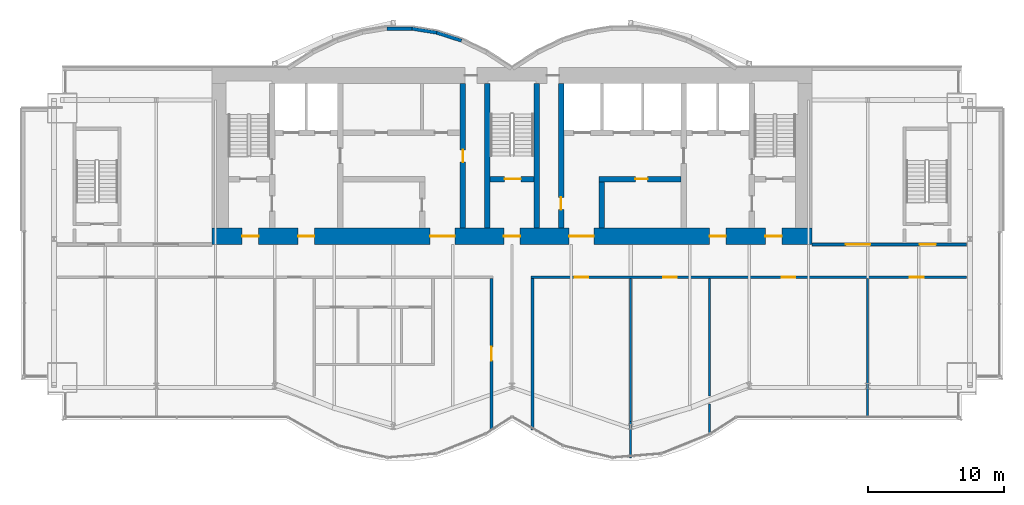
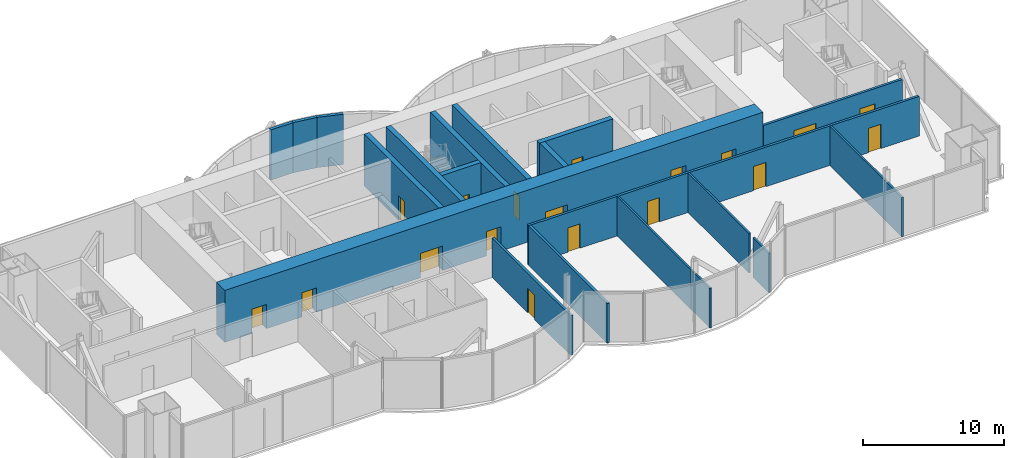
# One storey, part 12 of 17: 20 walls, 18 doors, 18 openings.
"""IFC4 building model written with IfcOpenShell, lengths in metres."""

from ifc_helpers import new_model, si_unit, direction, frame, frame_2d, origin, place, context, subcontext, project, spatial, rectangle, extrude, material, layer, layer_set, layer_usage, type_object, element, fill, save


model = new_model("IFC4")

# Units and contexts
model_context = context("Model", 3, precision=1e-05, world=origin(), true_north=direction((0.0, 1.0)))
body_context = subcontext(model_context, "Body", "Model", "MODEL_VIEW")
ifc_project = project(units=[si_unit("LENGTHUNIT", "METRE"), si_unit("AREAUNIT", "SQUARE_METRE"), si_unit("VOLUMEUNIT", "CUBIC_METRE"), si_unit("PLANEANGLEUNIT", "RADIAN"), si_unit("MASSUNIT", "GRAM", prefix="KILO")], contexts=[model_context])

# Site, building, storey
site_placement = place(None, origin())
site = spatial("IfcSite", under=ifc_project, at=site_placement, CompositionType="ELEMENT")
building_placement = place(site_placement, origin())
building = spatial("IfcBuilding", under=site, at=building_placement, Name="Bicima Exchange Tower", CompositionType="ELEMENT")
storey_placement = place(building_placement, frame((0.0, 0.0, 320.0)))
storey = spatial("IfcBuildingStorey", under=building, at=storey_placement, Name="L72", CompositionType="ELEMENT", Elevation=320.0)

# Wall, openings, doors
ifc_material_1 = material(Name="Gypsum board partition")
ifc_layer_1 = layer(ifc_material_1, 0.199951171875)
ifc_layer_set_1 = layer_set([ifc_layer_1], Name="Gypsum board partition")
wall_type_1 = type_object("IfcWallType", Name="Fire-rated gypsum partition 200 EI60", PredefinedType="PARTITIONING", material=ifc_layer_set_1)
wall_1_placement = place(storey_placement, frame((1.39990234375, -15.39990234375, 0.0), z_axis=(0.0, 0.0, 1.0), x_axis=(1.0, 0.0, 0.0)))
wall_1 = element("IfcWall", 1, at=wall_1_placement, inside=storey, type_object=wall_type_1, Name="partition wall 4", PredefinedType="PARTITIONING", context=body_context, shape_type="SweptSolid", body=[
    extrude(rectangle(XDim=31.940185546875, YDim=0.199951171875, at=frame_2d((15.97021484375, 0.0))), origin(), (0.0, 0.0, 1.0), 3.418212890625),
])
opening_1_placement = place(wall_1_placement, frame((3.199951171875, 0.0, 0.0)))
opening_1 = element("IfcOpeningElement", 2, at=opening_1_placement, cuts=wall_1, Name="Opening L72-015", PredefinedType="OPENING", context=body_context, shape_type="SweptSolid", body=[
    extrude(rectangle(XDim=1.0, YDim=2.10009765625, at=frame_2d((0.5, 1.050048828125))), frame((0.0, 0.11181640625, 0.0), z_axis=(0.0, -1.0, 0.0), x_axis=(1.0, 0.0, 0.0)), (0.0, 0.0, 1.0), 0.223876953125),
])
opening_2_placement = place(wall_1_placement, frame((9.699951171875, 0.0, 0.0)))
opening_2 = element("IfcOpeningElement", 3, at=opening_2_placement, cuts=wall_1, Name="Opening L72-016", PredefinedType="OPENING", context=body_context, shape_type="SweptSolid", body=[
    extrude(rectangle(XDim=1.0, YDim=2.10009765625, at=frame_2d((0.5, 1.050048828125))), frame((0.0, 0.11181640625, 0.0), z_axis=(0.0, -1.0, 0.0), x_axis=(1.0, 0.0, 0.0)), (0.0, 0.0, 1.0), 0.223876953125),
])
opening_3_placement = place(wall_1_placement, frame((18.39990234375, 0.0, 0.0)))
opening_3 = element("IfcOpeningElement", 4, at=opening_3_placement, cuts=wall_1, Name="Opening L72-017", PredefinedType="OPENING", context=body_context, shape_type="SweptSolid", body=[
    extrude(rectangle(XDim=1.0, YDim=2.10009765625, at=frame_2d((0.5, 1.050048828125))), frame((0.0, 0.11181640625, 0.0), z_axis=(0.0, -1.0, 0.0), x_axis=(1.0, 0.0, 0.0)), (0.0, 0.0, 1.0), 0.223876953125),
])
opening_4_placement = place(wall_1_placement, frame((27.800048828125, 0.0, 0.0)))
opening_4 = element("IfcOpeningElement", 5, at=opening_4_placement, cuts=wall_1, Name="Opening L72-018", PredefinedType="OPENING", context=body_context, shape_type="SweptSolid", body=[
    extrude(rectangle(XDim=1.0, YDim=2.10009765625, at=frame_2d((0.5, 1.050048828125))), frame((0.0, 0.11181640625, 0.0), z_axis=(0.0, -1.0, 0.0), x_axis=(1.0, 0.0, 0.0)), (0.0, 0.0, 1.0), 0.223876953125),
])
ifc_material_2 = material(Name="Steel fire door leaf", Category="steel")
door_type_1 = type_object("IfcDoorType", Name="Door 1000 swing FD30S", OperationType="SINGLE_SWING_LEFT", PredefinedType="DOOR", material=ifc_material_2)
door_1_placement = place(opening_1_placement, frame((1.0, 0.0, 0.0), z_axis=(0.0, 0.0, 1.0), x_axis=(-1.0, 0.0, 0.0)))
door_1 = element("IfcDoor", 6, at=door_1_placement, inside=storey, type_object=door_type_1, Name="Door", OperationType="SINGLE_SWING_RIGHT", OverallHeight=2.10009765625, OverallWidth=1.0, PredefinedType="DOOR", context=body_context, shape_type="SweptSolid", body=[
    extrude(rectangle(XDim=1.0, YDim=2.10009765625, at=frame_2d((0.5, 1.050048828125))), frame((0.0, 0.02490234375, 0.0), z_axis=(0.0, -1.0, 0.0), x_axis=(1.0, 0.0, 0.0)), (0.0, 0.0, 1.0), 0.050048828125),
])
fill(opening_1, door_1)
door_2_placement = place(opening_2_placement, frame((1.0, 0.0, 0.0), z_axis=(0.0, 0.0, 1.0), x_axis=(-1.0, 0.0, 0.0)))
door_2 = element("IfcDoor", 7, at=door_2_placement, inside=storey, type_object=door_type_1, Name="Door", OperationType="SINGLE_SWING_LEFT", OverallHeight=2.10009765625, OverallWidth=1.0, PredefinedType="DOOR", context=body_context, shape_type="SweptSolid", body=[
    extrude(rectangle(XDim=1.0, YDim=2.10009765625, at=frame_2d((0.5, 1.050048828125))), frame((0.0, 0.02490234375, 0.0), z_axis=(0.0, -1.0, 0.0), x_axis=(1.0, 0.0, 0.0)), (0.0, 0.0, 1.0), 0.050048828125),
])
fill(opening_2, door_2)
door_3_placement = place(opening_3_placement, frame((1.0, 0.0, 0.0), z_axis=(0.0, 0.0, 1.0), x_axis=(-1.0, 0.0, 0.0)))
door_3 = element("IfcDoor", 8, at=door_3_placement, inside=storey, type_object=door_type_1, Name="Door", OperationType="SINGLE_SWING_RIGHT", OverallHeight=2.10009765625, OverallWidth=1.0, PredefinedType="DOOR", context=body_context, shape_type="SweptSolid", body=[
    extrude(rectangle(XDim=1.0, YDim=2.10009765625, at=frame_2d((0.5, 1.050048828125))), frame((0.0, 0.02490234375, 0.0), z_axis=(0.0, -1.0, 0.0), x_axis=(1.0, 0.0, 0.0)), (0.0, 0.0, 1.0), 0.050048828125),
])
fill(opening_3, door_3)
door_4_placement = place(opening_4_placement, frame((1.0, 0.0, 0.0), z_axis=(0.0, 0.0, 1.0), x_axis=(-1.0, 0.0, 0.0)))
door_4 = element("IfcDoor", 9, at=door_4_placement, inside=storey, type_object=door_type_1, Name="Door", OperationType="SINGLE_SWING_RIGHT", OverallHeight=2.10009765625, OverallWidth=1.0, PredefinedType="DOOR", context=body_context, shape_type="SweptSolid", body=[
    extrude(rectangle(XDim=1.0, YDim=2.10009765625, at=frame_2d((0.5, 1.050048828125))), frame((0.0, 0.02490234375, 0.0), z_axis=(0.0, -1.0, 0.0), x_axis=(1.0, 0.0, 0.0)), (0.0, 0.0, 1.0), 0.050048828125),
])
fill(opening_4, door_4)

wall_2_placement = place(storey_placement, frame((22.0, -13.0, 0.0), z_axis=(0.0, 0.0, 1.0), x_axis=(1.0, 0.0, 0.0)))
wall_2 = element("IfcWall", 10, at=wall_2_placement, inside=storey, type_object=wall_type_1, Name="partition wall 6", PredefinedType="PARTITIONING", context=body_context, shape_type="SweptSolid", body=[
    extrude(rectangle(XDim=11.340087890625, YDim=0.199951171875, at=frame_2d((5.669921875, 0.0))), origin(), (0.0, 0.0, 1.0), 3.418212890625),
])
opening_5_placement = place(wall_2_placement, frame((7.89990234375, 0.0, 0.0)))
opening_5 = element("IfcOpeningElement", 11, at=opening_5_placement, cuts=wall_2, Name="Opening L72-003", PredefinedType="OPENING", context=body_context, shape_type="SweptSolid", body=[
    extrude(rectangle(XDim=1.199951171875, YDim=2.10009765625, at=frame_2d((0.60009765625, 1.050048828125))), frame((0.0, 0.11181640625, 0.0), z_axis=(0.0, -1.0, 0.0), x_axis=(1.0, 0.0, 0.0)), (0.0, 0.0, 1.0), 0.223876953125),
])
opening_6_placement = place(wall_2_placement, frame((2.5, 0.0, 0.0)))
opening_6 = element("IfcOpeningElement", 12, at=opening_6_placement, cuts=wall_2, Name="Opening L72-006", PredefinedType="OPENING", context=body_context, shape_type="SweptSolid", body=[
    extrude(rectangle(XDim=1.800048828125, YDim=2.10009765625, at=frame_2d((0.89990234375, 1.050048828125))), frame((0.0, 0.11181640625, 0.0), z_axis=(0.0, -1.0, 0.0), x_axis=(1.0, 0.0, 0.0)), (0.0, 0.0, 1.0), 0.223876953125),
])
door_type_2 = type_object("IfcDoorType", Name="Door 1200 swing FD30S", OperationType="SINGLE_SWING_LEFT", PredefinedType="DOOR", material=ifc_material_2)
door_5_placement = place(opening_5_placement, origin())
door_5 = element("IfcDoor", 13, at=door_5_placement, inside=storey, type_object=door_type_2, Name="Door", OperationType="SINGLE_SWING_RIGHT", OverallHeight=2.10009765625, OverallWidth=1.199951171875, PredefinedType="DOOR", context=body_context, shape_type="SweptSolid", body=[
    extrude(rectangle(XDim=1.199951171875, YDim=2.10009765625, at=frame_2d((0.60009765625, 1.050048828125))), frame((0.0, 0.02490234375, 0.0), z_axis=(0.0, -1.0, 0.0), x_axis=(1.0, 0.0, 0.0)), (0.0, 0.0, 1.0), 0.050048828125),
])
fill(opening_5, door_5)
door_type_3 = type_object("IfcDoorType", Name="Door 1800 double swing FD30S", OperationType="DOUBLE_DOOR_SINGLE_SWING", PredefinedType="DOOR", material=ifc_material_2)
door_6_placement = place(opening_6_placement, origin())
door_6 = element("IfcDoor", 14, at=door_6_placement, inside=storey, type_object=door_type_3, Name="Door", OperationType="SINGLE_SWING_LEFT", OverallHeight=2.10009765625, OverallWidth=1.800048828125, PredefinedType="DOOR", context=body_context, shape_type="SweptSolid", body=[
    extrude(rectangle(XDim=1.800048828125, YDim=2.10009765625, at=frame_2d((0.89990234375, 1.050048828125))), frame((0.0, 0.02490234375, 0.0), z_axis=(0.0, -1.0, 0.0), x_axis=(1.0, 0.0, 0.0)), (0.0, 0.0, 1.0), 0.050048828125),
])
fill(opening_6, door_6)

# Wall, opening, door
wall_3_placement = place(storey_placement, frame((-1.5, -26.6201171875, 0.0), z_axis=(0.0, 0.0, 1.0), x_axis=(0.0, 1.0, 0.0)))
wall_3 = element("IfcWall", 15, at=wall_3_placement, inside=storey, type_object=wall_type_1, Name="partition wall 19", PredefinedType="PARTITIONING", context=body_context, shape_type="SweptSolid", body=[
    extrude(rectangle(XDim=11.1201171875, YDim=0.199951171875, at=frame_2d((5.56005859375, 0.0))), origin(), (0.0, 0.0, 1.0), 3.418212890625),
])
opening_7_placement = place(wall_3_placement, frame((5.10009765625, 0.0, 0.0)))
opening_7 = element("IfcOpeningElement", 16, at=opening_7_placement, cuts=wall_3, Name="Opening L72-014", PredefinedType="OPENING", context=body_context, shape_type="SweptSolid", body=[
    extrude(rectangle(XDim=1.0, YDim=2.10009765625, at=frame_2d((0.5, 1.050048828125))), frame((0.0, 0.11181640625, 0.0), z_axis=(0.0, -1.0, 0.0), x_axis=(1.0, 0.0, 0.0)), (0.0, 0.0, 1.0), 0.223876953125),
])
door_7_placement = place(opening_7_placement, origin())
door_7 = element("IfcDoor", 17, at=door_7_placement, inside=storey, type_object=door_type_1, Name="Door", OperationType="SINGLE_SWING_LEFT", OverallHeight=2.10009765625, OverallWidth=1.0, PredefinedType="DOOR", context=body_context, shape_type="SweptSolid", body=[
    extrude(rectangle(XDim=1.0, YDim=2.10009765625, at=frame_2d((0.5, 1.050048828125))), frame((0.0, 0.02490234375, 0.0), z_axis=(0.0, -1.0, 0.0), x_axis=(1.0, 0.0, 0.0)), (0.0, 0.0, 1.0), 0.050048828125),
])
fill(opening_7, door_7)

# Walls
wall_4_placement = place(storey_placement, frame((1.5, -26.6201171875, 0.0), z_axis=(0.0, 0.0, 1.0), x_axis=(0.0, 1.0, 0.0)))
element("IfcWall", 18, at=wall_4_placement, inside=storey, type_object=wall_type_1, Name="partition wall 20", PredefinedType="PARTITIONING", context=body_context, shape_type="SweptSolid", body=[
    extrude(rectangle(XDim=11.1201171875, YDim=0.199951171875, at=frame_2d((5.56005859375, 0.0))), origin(), (0.0, 0.0, 1.0), 3.418212890625),
])
ifc_layer_2 = layer(ifc_material_1, 0.14990234375)
ifc_layer_set_2 = layer_set([ifc_layer_2], Name="Gypsum board partition")
wall_type_2 = type_object("IfcWallType", Name="Gypsum partition 150", PredefinedType="PARTITIONING", material=ifc_layer_set_2)
wall_5_placement = place(storey_placement, frame((8.699951171875, -28.64990234375, 0.0), z_axis=(0.0, 0.0, 1.0), x_axis=(0.0, 1.0, 0.0)))
element("IfcWall", 19, at=wall_5_placement, inside=storey, type_object=wall_type_2, Name="partition wall 21", PredefinedType="PARTITIONING", context=body_context, shape_type="SweptSolid", body=[
    extrude(rectangle(XDim=2.64404296875, YDim=0.14990234375, at=frame_2d((1.322021484375, 0.0))), origin(), (0.0, 0.0, 1.0), 3.418212890625),
])
wall_6_placement = place(storey_placement, frame((8.699951171875, -26.005859375, 0.0), z_axis=(0.0, 0.0, 1.0), x_axis=(0.0, 1.0, 0.0)))
element("IfcWall", 20, at=wall_6_placement, inside=storey, type_object=wall_type_2, Name="partition wall 22", PredefinedType="PARTITIONING", context=body_context, shape_type="SweptSolid", body=[
    extrude(rectangle(XDim=10.505859375, YDim=0.14990234375, at=frame_2d((5.2529296875, 0.0))), origin(), (0.0, 0.0, 1.0), 3.418212890625),
])
wall_7_placement = place(storey_placement, frame((14.5, -26.929931640625, 0.0), z_axis=(0.0, 0.0, 1.0), x_axis=(0.0, 1.0, 0.0)))
element("IfcWall", 21, at=wall_7_placement, inside=storey, type_object=wall_type_2, Name="partition wall 23", PredefinedType="PARTITIONING", context=body_context, shape_type="SweptSolid", body=[
    extrude(rectangle(XDim=2.239990234375, YDim=0.14990234375, at=frame_2d((1.1201171875, 0.0))), origin(), (0.0, 0.0, 1.0), 3.418212890625),
])
wall_8_placement = place(storey_placement, frame((14.5, -24.1298828125, 0.0), z_axis=(0.0, 0.0, 1.0), x_axis=(0.0, 1.0, 0.0)))
element("IfcWall", 22, at=wall_8_placement, inside=storey, type_object=wall_type_2, Name="partition wall 24", PredefinedType="PARTITIONING", context=body_context, shape_type="SweptSolid", body=[
    extrude(rectangle(XDim=8.6298828125, YDim=0.14990234375, at=frame_2d((4.31494140625, 0.0))), origin(), (0.0, 0.0, 1.0), 3.418212890625),
])
wall_9_placement = place(storey_placement, frame((26.10009765625, -25.68994140625, 0.0), z_axis=(0.0, 0.0, 1.0), x_axis=(0.0, 1.0, 0.0)))
element("IfcWall", 23, at=wall_9_placement, inside=storey, type_object=wall_type_2, Name="partition wall 25", PredefinedType="PARTITIONING", context=body_context, shape_type="SweptSolid", body=[
    extrude(rectangle(XDim=10.18994140625, YDim=0.14990234375, at=frame_2d((5.094970703125, 0.0))), origin(), (0.0, 0.0, 1.0), 3.418212890625),
])

# Wall, openings, doors
ifc_material_3 = material(Name="Concrete C40/50", Category="concrete")
ifc_layer_3 = layer(ifc_material_3, 1.199951171875)
ifc_layer_set_3 = layer_set([ifc_layer_3], Name="Concrete C40/50")
wall_type_3 = type_object("IfcWallType", Name="RC core wall 1200 C40/50", PredefinedType="SHEAR", material=ifc_layer_set_3)
wall_10_placement = place(storey_placement, frame((-22.0, -12.39990234375, 0.0), z_axis=(0.0, 0.0, 1.0), x_axis=(1.0, 0.0, 0.0)))
wall_10 = element("IfcWall", 24, at=wall_10_placement, inside=storey, type_object=wall_type_3, Name="Core wall south", PredefinedType="SHEAR", context=body_context, shape_type="SweptSolid", body=[
    extrude(rectangle(XDim=44.0, YDim=1.199951171875, at=frame_2d((22.0, 0.0))), origin(), (0.0, 0.0, 1.0), 4.5),
])
opening_8_placement = place(wall_10_placement, frame((2.199951171875, 0.0, 0.0)))
opening_8 = element("IfcOpeningElement", 25, at=opening_8_placement, cuts=wall_10, Name="Opening L72-C18", PredefinedType="OPENING", context=body_context, shape_type="SweptSolid", body=[
    extrude(rectangle(XDim=1.199951171875, YDim=2.10009765625, at=frame_2d((0.60009765625, 1.050048828125))), frame((0.0, 0.61181640625, 0.0), z_axis=(0.0, -1.0, 0.0), x_axis=(1.0, 0.0, 0.0)), (0.0, 0.0, 1.0), 1.223876953125),
])
opening_9_placement = place(wall_10_placement, frame((21.39990234375, 0.0, 0.0)))
opening_9 = element("IfcOpeningElement", 26, at=opening_9_placement, cuts=wall_10, Name="Opening L72-C19", PredefinedType="OPENING", context=body_context, shape_type="SweptSolid", body=[
    extrude(rectangle(XDim=1.199951171875, YDim=2.10009765625, at=frame_2d((0.60009765625, 1.050048828125))), frame((0.0, 0.61181640625, 0.0), z_axis=(0.0, -1.0, 0.0), x_axis=(1.0, 0.0, 0.0)), (0.0, 0.0, 1.0), 1.223876953125),
])
opening_10_placement = place(wall_10_placement, frame((40.60009765625, 0.0, 0.0)))
opening_10 = element("IfcOpeningElement", 27, at=opening_10_placement, cuts=wall_10, Name="Opening L72-C20", PredefinedType="OPENING", context=body_context, shape_type="SweptSolid", body=[
    extrude(rectangle(XDim=1.199951171875, YDim=2.10009765625, at=frame_2d((0.60009765625, 1.050048828125))), frame((0.0, 0.61181640625, 0.0), z_axis=(0.0, -1.0, 0.0), x_axis=(1.0, 0.0, 0.0)), (0.0, 0.0, 1.0), 1.223876953125),
])
opening_11_placement = place(wall_10_placement, frame((16.0, 0.0, 0.0)))
opening_11 = element("IfcOpeningElement", 28, at=opening_11_placement, cuts=wall_10, Name="Opening L72-C21", PredefinedType="OPENING", context=body_context, shape_type="SweptSolid", body=[
    extrude(rectangle(XDim=1.800048828125, YDim=2.10009765625, at=frame_2d((0.89990234375, 1.050048828125))), frame((0.0, 0.61181640625, 0.0), z_axis=(0.0, -1.0, 0.0), x_axis=(1.0, 0.0, 0.0)), (0.0, 0.0, 1.0), 1.223876953125),
])
opening_12_placement = place(wall_10_placement, frame((6.300048828125, 0.0, 0.0)))
opening_12 = element("IfcOpeningElement", 29, at=opening_12_placement, cuts=wall_10, Name="Opening L72-C22", PredefinedType="OPENING", context=body_context, shape_type="SweptSolid", body=[
    extrude(rectangle(XDim=1.199951171875, YDim=2.10009765625, at=frame_2d((0.60009765625, 1.050048828125))), frame((0.0, 0.61181640625, 0.0), z_axis=(0.0, -1.0, 0.0), x_axis=(1.0, 0.0, 0.0)), (0.0, 0.0, 1.0), 1.223876953125),
])
opening_13_placement = place(wall_10_placement, frame((26.199951171875, 0.0, 0.0)))
opening_13 = element("IfcOpeningElement", 30, at=opening_13_placement, cuts=wall_10, Name="Opening L72-C23", PredefinedType="OPENING", context=body_context, shape_type="SweptSolid", body=[
    extrude(rectangle(XDim=1.800048828125, YDim=2.10009765625, at=frame_2d((0.89990234375, 1.050048828125))), frame((0.0, 0.61181640625, 0.0), z_axis=(0.0, -1.0, 0.0), x_axis=(1.0, 0.0, 0.0)), (0.0, 0.0, 1.0), 1.223876953125),
])
opening_14_placement = place(wall_10_placement, frame((36.5, 0.0, 0.0)))
opening_14 = element("IfcOpeningElement", 31, at=opening_14_placement, cuts=wall_10, Name="Opening L72-C24", PredefinedType="OPENING", context=body_context, shape_type="SweptSolid", body=[
    extrude(rectangle(XDim=1.199951171875, YDim=2.10009765625, at=frame_2d((0.60009765625, 1.050048828125))), frame((0.0, 0.61181640625, 0.0), z_axis=(0.0, -1.0, 0.0), x_axis=(1.0, 0.0, 0.0)), (0.0, 0.0, 1.0), 1.223876953125),
])
door_type_4 = type_object("IfcDoorType", Name="Door 1200 swing FD60S", OperationType="SINGLE_SWING_LEFT", PredefinedType="DOOR", material=ifc_material_2)
door_8_placement = place(opening_8_placement, frame((1.199951171875, 0.0, 0.0), z_axis=(0.0, 0.0, 1.0), x_axis=(-1.0, 0.0, 0.0)))
door_8 = element("IfcDoor", 32, at=door_8_placement, inside=storey, type_object=door_type_4, Name="Core door", OperationType="SINGLE_SWING_RIGHT", OverallHeight=2.10009765625, OverallWidth=1.199951171875, PredefinedType="DOOR", context=body_context, shape_type="SweptSolid", body=[
    extrude(rectangle(XDim=1.199951171875, YDim=2.10009765625, at=frame_2d((0.60009765625, 1.050048828125))), frame((0.0, 0.02490234375, 0.0), z_axis=(0.0, -1.0, 0.0), x_axis=(1.0, 0.0, 0.0)), (0.0, 0.0, 1.0), 0.050048828125),
])
fill(opening_8, door_8)
door_9_placement = place(opening_9_placement, frame((1.199951171875, 0.0, 0.0), z_axis=(0.0, 0.0, 1.0), x_axis=(-1.0, 0.0, 0.0)))
door_9 = element("IfcDoor", 33, at=door_9_placement, inside=storey, type_object=door_type_4, Name="Core door", OperationType="SINGLE_SWING_RIGHT", OverallHeight=2.10009765625, OverallWidth=1.199951171875, PredefinedType="DOOR", context=body_context, shape_type="SweptSolid", body=[
    extrude(rectangle(XDim=1.199951171875, YDim=2.10009765625, at=frame_2d((0.60009765625, 1.050048828125))), frame((0.0, 0.02490234375, 0.0), z_axis=(0.0, -1.0, 0.0), x_axis=(1.0, 0.0, 0.0)), (0.0, 0.0, 1.0), 0.050048828125),
])
fill(opening_9, door_9)
door_10_placement = place(opening_10_placement, frame((1.199951171875, 0.0, 0.0), z_axis=(0.0, 0.0, 1.0), x_axis=(-1.0, 0.0, 0.0)))
door_10 = element("IfcDoor", 34, at=door_10_placement, inside=storey, type_object=door_type_4, Name="Core door", OperationType="SINGLE_SWING_RIGHT", OverallHeight=2.10009765625, OverallWidth=1.199951171875, PredefinedType="DOOR", context=body_context, shape_type="SweptSolid", body=[
    extrude(rectangle(XDim=1.199951171875, YDim=2.10009765625, at=frame_2d((0.60009765625, 1.050048828125))), frame((0.0, 0.02490234375, 0.0), z_axis=(0.0, -1.0, 0.0), x_axis=(1.0, 0.0, 0.0)), (0.0, 0.0, 1.0), 0.050048828125),
])
fill(opening_10, door_10)
door_11_placement = place(opening_12_placement, frame((1.199951171875, 0.0, 0.0), z_axis=(0.0, 0.0, 1.0), x_axis=(-1.0, 0.0, 0.0)))
door_11 = element("IfcDoor", 35, at=door_11_placement, inside=storey, type_object=door_type_4, Name="Core door", OperationType="SINGLE_SWING_RIGHT", OverallHeight=2.10009765625, OverallWidth=1.199951171875, PredefinedType="DOOR", context=body_context, shape_type="SweptSolid", body=[
    extrude(rectangle(XDim=1.199951171875, YDim=2.10009765625, at=frame_2d((0.60009765625, 1.050048828125))), frame((0.0, 0.02490234375, 0.0), z_axis=(0.0, -1.0, 0.0), x_axis=(1.0, 0.0, 0.0)), (0.0, 0.0, 1.0), 0.050048828125),
])
fill(opening_12, door_11)
door_12_placement = place(opening_14_placement, frame((1.199951171875, 0.0, 0.0), z_axis=(0.0, 0.0, 1.0), x_axis=(-1.0, 0.0, 0.0)))
door_12 = element("IfcDoor", 36, at=door_12_placement, inside=storey, type_object=door_type_4, Name="Core door", OperationType="SINGLE_SWING_RIGHT", OverallHeight=2.10009765625, OverallWidth=1.199951171875, PredefinedType="DOOR", context=body_context, shape_type="SweptSolid", body=[
    extrude(rectangle(XDim=1.199951171875, YDim=2.10009765625, at=frame_2d((0.60009765625, 1.050048828125))), frame((0.0, 0.02490234375, 0.0), z_axis=(0.0, -1.0, 0.0), x_axis=(1.0, 0.0, 0.0)), (0.0, 0.0, 1.0), 0.050048828125),
])
fill(opening_14, door_12)
door_13_placement = place(opening_11_placement, origin())
door_13 = element("IfcDoor", 37, at=door_13_placement, inside=storey, type_object=door_type_3, Name="Core door", OperationType="SINGLE_SWING_LEFT", OverallHeight=2.10009765625, OverallWidth=1.800048828125, PredefinedType="DOOR", context=body_context, shape_type="SweptSolid", body=[
    extrude(rectangle(XDim=1.800048828125, YDim=2.10009765625, at=frame_2d((0.89990234375, 1.050048828125))), frame((0.0, 0.02490234375, 0.0), z_axis=(0.0, -1.0, 0.0), x_axis=(1.0, 0.0, 0.0)), (0.0, 0.0, 1.0), 0.050048828125),
])
fill(opening_11, door_13)
door_14_placement = place(opening_13_placement, origin())
door_14 = element("IfcDoor", 38, at=door_14_placement, inside=storey, type_object=door_type_3, Name="Core door", OperationType="SINGLE_SWING_LEFT", OverallHeight=2.10009765625, OverallWidth=1.800048828125, PredefinedType="DOOR", context=body_context, shape_type="SweptSolid", body=[
    extrude(rectangle(XDim=1.800048828125, YDim=2.10009765625, at=frame_2d((0.89990234375, 1.050048828125))), frame((0.0, 0.02490234375, 0.0), z_axis=(0.0, -1.0, 0.0), x_axis=(1.0, 0.0, 0.0)), (0.0, 0.0, 1.0), 0.050048828125),
])
fill(opening_13, door_14)

# Wall, opening, door
ifc_layer_4 = layer(ifc_material_3, 0.39990234375)
ifc_layer_set_4 = layer_set([ifc_layer_4], Name="Concrete C40/50")
wall_type_4 = type_object("IfcWallType", Name="RC core wall 400 C40/50", PredefinedType="SHEAR", material=ifc_layer_set_4)
wall_11_placement = place(storey_placement, frame((6.39990234375, -8.199951171875, 0.0), z_axis=(0.0, 0.0, 1.0), x_axis=(1.0, 0.0, 0.0)))
wall_11 = element("IfcWall", 39, at=wall_11_placement, inside=storey, type_object=wall_type_4, Name="shear wall 4", PredefinedType="SHEAR", context=body_context, shape_type="SweptSolid", body=[
    extrude(rectangle(XDim=6.0, YDim=0.39990234375, at=frame_2d((3.0, 0.0))), origin(), (0.0, 0.0, 1.0), 4.5),
])
opening_15_placement = place(wall_11_placement, frame((2.64990234375, 0.0, 0.0)))
opening_15 = element("IfcOpeningElement", 40, at=opening_15_placement, cuts=wall_11, Name="Opening L72-C15", PredefinedType="OPENING", context=body_context, shape_type="SweptSolid", body=[
    extrude(rectangle(XDim=0.89990234375, YDim=2.10009765625, at=frame_2d((0.449951171875, 1.050048828125))), frame((0.0, 0.2119140625, 0.0), z_axis=(0.0, -1.0, 0.0), x_axis=(1.0, 0.0, 0.0)), (0.0, 0.0, 1.0), 0.423828125),
])
door_type_5 = type_object("IfcDoorType", Name="Door 900 swing FD30S", OperationType="SINGLE_SWING_LEFT", PredefinedType="DOOR", material=ifc_material_2)
door_15_placement = place(opening_15_placement, frame((0.89990234375, 0.0, 0.0), z_axis=(0.0, 0.0, 1.0), x_axis=(-1.0, 0.0, 0.0)))
door_15 = element("IfcDoor", 41, at=door_15_placement, inside=storey, type_object=door_type_5, Name="Core door", OperationType="SINGLE_SWING_RIGHT", OverallHeight=2.10009765625, OverallWidth=0.89990234375, PredefinedType="DOOR", context=body_context, shape_type="SweptSolid", body=[
    extrude(rectangle(XDim=0.89990234375, YDim=2.10009765625, at=frame_2d((0.449951171875, 1.050048828125))), frame((0.0, 0.02490234375, 0.0), z_axis=(0.0, -1.0, 0.0), x_axis=(1.0, 0.0, 0.0)), (0.0, 0.0, 1.0), 0.050048828125),
])
fill(opening_15, door_15)

wall_12_placement = place(storey_placement, frame((-3.60009765625, -11.800048828125, 0.0), z_axis=(0.0, 0.0, 1.0), x_axis=(0.0, 1.0, 0.0)))
wall_12 = element("IfcWall", 42, at=wall_12_placement, inside=storey, type_object=wall_type_4, Name="shear wall 13", PredefinedType="SHEAR", context=body_context, shape_type="SweptSolid", body=[
    extrude(rectangle(XDim=10.60009765625, YDim=0.39990234375, at=frame_2d((5.300048828125, 0.0))), origin(), (0.0, 0.0, 1.0), 4.5),
])
opening_16_placement = place(wall_12_placement, frame((4.85009765625, 0.0, 0.0)))
opening_16 = element("IfcOpeningElement", 43, at=opening_16_placement, cuts=wall_12, Name="Opening L72-C10", PredefinedType="OPENING", context=body_context, shape_type="SweptSolid", body=[
    extrude(rectangle(XDim=0.89990234375, YDim=2.10009765625, at=frame_2d((0.449951171875, 1.050048828125))), frame((0.0, 0.2119140625, 0.0), z_axis=(0.0, -1.0, 0.0), x_axis=(1.0, 0.0, 0.0)), (0.0, 0.0, 1.0), 0.423828125),
])
door_16_placement = place(opening_16_placement, frame((0.89990234375, 0.0, 0.0), z_axis=(0.0, 0.0, 1.0), x_axis=(-1.0, 0.0, 0.0)))
door_16 = element("IfcDoor", 44, at=door_16_placement, inside=storey, type_object=door_type_5, Name="Core door", OperationType="SINGLE_SWING_LEFT", OverallHeight=2.10009765625, OverallWidth=0.89990234375, PredefinedType="DOOR", context=body_context, shape_type="SweptSolid", body=[
    extrude(rectangle(XDim=0.89990234375, YDim=2.10009765625, at=frame_2d((0.449951171875, 1.050048828125))), frame((0.0, 0.02490234375, 0.0), z_axis=(0.0, -1.0, 0.0), x_axis=(1.0, 0.0, 0.0)), (0.0, 0.0, 1.0), 0.050048828125),
])
fill(opening_16, door_16)

wall_13_placement = place(storey_placement, frame((3.60009765625, -11.800048828125, 0.0), z_axis=(0.0, 0.0, 1.0), x_axis=(0.0, 1.0, 0.0)))
wall_13 = element("IfcWall", 45, at=wall_13_placement, inside=storey, type_object=wall_type_4, Name="shear wall 16", PredefinedType="SHEAR", context=body_context, shape_type="SweptSolid", body=[
    extrude(rectangle(XDim=10.60009765625, YDim=0.39990234375, at=frame_2d((5.300048828125, 0.0))), origin(), (0.0, 0.0, 1.0), 4.5),
])
opening_17_placement = place(wall_13_placement, frame((1.35009765625, 0.0, 0.0)))
opening_17 = element("IfcOpeningElement", 46, at=opening_17_placement, cuts=wall_13, Name="Opening L72-C11", PredefinedType="OPENING", context=body_context, shape_type="SweptSolid", body=[
    extrude(rectangle(XDim=0.89990234375, YDim=2.10009765625, at=frame_2d((0.449951171875, 1.050048828125))), frame((0.0, 0.2119140625, 0.0), z_axis=(0.0, -1.0, 0.0), x_axis=(1.0, 0.0, 0.0)), (0.0, 0.0, 1.0), 0.423828125),
])
door_17_placement = place(opening_17_placement, origin())
door_17 = element("IfcDoor", 47, at=door_17_placement, inside=storey, type_object=door_type_5, Name="Core door", OperationType="SINGLE_SWING_LEFT", OverallHeight=2.10009765625, OverallWidth=0.89990234375, PredefinedType="DOOR", context=body_context, shape_type="SweptSolid", body=[
    extrude(rectangle(XDim=0.89990234375, YDim=2.10009765625, at=frame_2d((0.449951171875, 1.050048828125))), frame((0.0, 0.02490234375, 0.0), z_axis=(0.0, -1.0, 0.0), x_axis=(1.0, 0.0, 0.0)), (0.0, 0.0, 1.0), 0.050048828125),
])
fill(opening_17, door_17)

# Wall
wall_14_placement = place(storey_placement, frame((6.60009765625, -11.800048828125, 0.0), z_axis=(0.0, 0.0, 1.0), x_axis=(0.0, 1.0, 0.0)))
element("IfcWall", 48, at=wall_14_placement, inside=storey, type_object=wall_type_4, Name="shear wall 17", PredefinedType="SHEAR", context=body_context, shape_type="SweptSolid", body=[
    extrude(rectangle(XDim=3.400146484375, YDim=0.39990234375, at=frame_2d((1.7001953125, 0.0))), origin(), (0.0, 0.0, 1.0), 4.5),
])

# Wall, opening, door
ifc_material_4 = material(Name="Concrete C50/60", Category="concrete")
ifc_layer_5 = layer(ifc_material_4, 0.39990234375)
ifc_layer_set_5 = layer_set([ifc_layer_5], Name="Concrete C50/60")
wall_type_5 = type_object("IfcWallType", Name="RC core wall 400 C50/60", PredefinedType="SHEAR", material=ifc_layer_set_5)
wall_15_placement = place(storey_placement, frame((-1.60009765625, -8.199951171875, 0.0), z_axis=(0.0, 0.0, 1.0), x_axis=(1.0, 0.0, 0.0)))
wall_15 = element("IfcWall", 49, at=wall_15_placement, inside=storey, type_object=wall_type_5, Name="stair wall 3", PredefinedType="SHEAR", context=body_context, shape_type="SweptSolid", body=[
    extrude(rectangle(XDim=3.2001953125, YDim=0.39990234375, at=frame_2d((1.60009765625, 0.0))), origin(), (0.0, 0.0, 1.0), 4.5),
])
opening_18_placement = place(wall_15_placement, frame((1.050048828125, 0.0, 0.0)))
opening_18 = element("IfcOpeningElement", 50, at=opening_18_placement, cuts=wall_15, Name="Opening L72-C03", PredefinedType="OPENING", context=body_context, shape_type="SweptSolid", body=[
    extrude(rectangle(XDim=1.199951171875, YDim=2.10009765625, at=frame_2d((0.60009765625, 1.050048828125))), frame((0.0, 0.2119140625, 0.0), z_axis=(0.0, -1.0, 0.0), x_axis=(1.0, 0.0, 0.0)), (0.0, 0.0, 1.0), 0.423828125),
])
door_18_placement = place(opening_18_placement, origin())
door_18 = element("IfcDoor", 51, at=door_18_placement, inside=storey, type_object=door_type_4, Name="Core door", OperationType="SINGLE_SWING_LEFT", OverallHeight=2.10009765625, OverallWidth=1.199951171875, PredefinedType="DOOR", context=body_context, shape_type="SweptSolid", body=[
    extrude(rectangle(XDim=1.199951171875, YDim=2.10009765625, at=frame_2d((0.60009765625, 1.050048828125))), frame((0.0, 0.02490234375, 0.0), z_axis=(0.0, -1.0, 0.0), x_axis=(1.0, 0.0, 0.0)), (0.0, 0.0, 1.0), 0.050048828125),
])
fill(opening_18, door_18)

# Walls
for number, where, z_axis, x_axis, name in (
    (52, (-1.800048828125, -11.800048828125, 0.0), (0.0, 0.0, 1.0), (0.0, 1.0, 0.0), "stair wall 14"),
    (53, (1.800048828125, -11.800048828125, 0.0), (0.0, 0.0, 1.0), (0.0, 1.0, 0.0), "stair wall 15"),
):
    element("IfcWall", number, at=place(storey_placement, frame(where, z_axis=z_axis, x_axis=x_axis)), inside=storey, type_object=wall_type_5, Name=name, PredefinedType="SHEAR", context=body_context, shape_type="SweptSolid", body=[
        extrude(rectangle(XDim=10.60009765625, YDim=0.39990234375, at=frame_2d((5.300048828125, 0.0))), origin(), (0.0, 0.0, 1.0), 4.5),
    ])
ifc_layer_6 = layer(ifc_material_3, 0.25)
ifc_layer_set_6 = layer_set([ifc_layer_6], Name="Concrete C40/50")
ifc_layer_usage = layer_usage(ifc_layer_set_6, "AXIS2", "POSITIVE", -0.125)
wall_type_6 = type_object("IfcWallType", Name="Rear backup wall 250", PredefinedType="STANDARD", material=ifc_layer_set_6)
wall_16_placement = place(storey_placement, frame((-3.705078125, 1.955078125, 0.0), z_axis=(0.0, 0.0, 1.0), x_axis=(-0.951495806175, 0.307661714928, 0.0)))
element("IfcWall", 54, at=wall_16_placement, inside=storey, type_object=wall_type_6, material=ifc_layer_usage, Name="Rear backup wall L72 13", PredefinedType="STANDARD", context=body_context, shape_type="SweptSolid", body=[
    extrude(rectangle(XDim=1.9267578125, YDim=0.25, at=frame_2d((0.96337890625, 0.0))), origin(), (0.0, 0.0, 1.0), 4.35009765625),
])
wall_17_placement = place(storey_placement, frame((-5.52001953125, 2.543212890625, 0.0), z_axis=(0.0, 0.0, 1.0), x_axis=(-0.987181718931, 0.159600293885, 0.0)))
element("IfcWall", 55, at=wall_17_placement, inside=storey, type_object=wall_type_6, material=ifc_layer_usage, Name="Rear backup wall L72 14", PredefinedType="STANDARD", context=body_context, shape_type="SweptSolid", body=[
    extrude(rectangle(XDim=1.857177734375, YDim=0.25, at=frame_2d((0.9287109375, 0.0))), origin(), (0.0, 0.0, 1.0), 4.35009765625),
])
wall_18_placement = place(storey_placement, frame((-7.333251953125, 2.837890625, 0.0), z_axis=(0.0, 0.0, 1.0), x_axis=(-1.0, 0.0, 0.0)))
element("IfcWall", 56, at=wall_18_placement, inside=storey, type_object=wall_type_6, material=ifc_layer_usage, Name="Rear backup wall L72 15", PredefinedType="STANDARD", context=body_context, shape_type="SweptSolid", body=[
    extrude(rectangle(XDim=1.83349609375, YDim=0.25, at=frame_2d((0.916748046875, 0.0))), origin(), (0.0, 0.0, 1.0), 4.35009765625),
])

save(model, "model.ifc")
